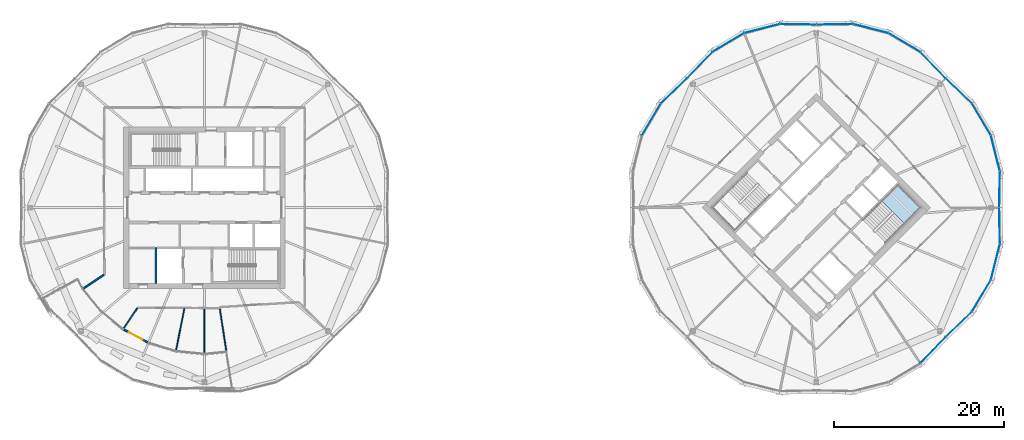
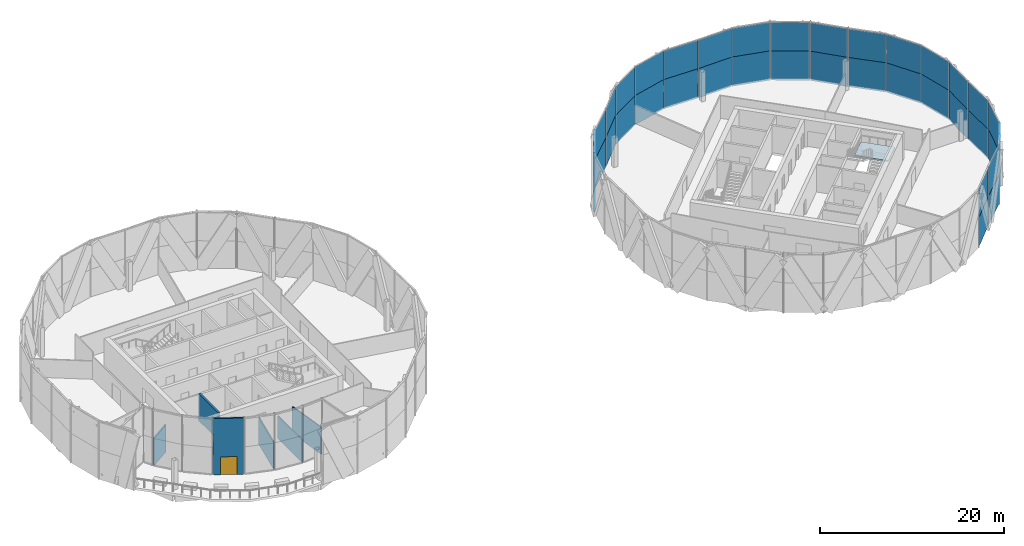
# One storey, part 18 of 27: 38 plates, 7 walls, 1 door, 1 slab, 1 opening, 7 elements without a shape of their own.
"""IFC4 building model written with IfcOpenShell, lengths in metres."""

from ifc_helpers import new_model, si_unit, direction, frame, frame_2d, origin, origin_2d, place, context, subcontext, project, spatial, polyline, rectangle, outline, extrude, material, layer, layer_set, type_object, element, fill, aggregate, save


model = new_model("IFC4")

# Units and contexts
model_context = context("Model", 3, precision=1e-05, world=origin(), true_north=direction((0.0, 1.0)))
body_context = subcontext(model_context, "Body", "Model", "MODEL_VIEW")
ifc_project = project(units=[si_unit("LENGTHUNIT", "METRE"), si_unit("AREAUNIT", "SQUARE_METRE"), si_unit("VOLUMEUNIT", "CUBIC_METRE"), si_unit("PLANEANGLEUNIT", "RADIAN"), si_unit("MASSUNIT", "GRAM", prefix="KILO")], contexts=[model_context])

# Site, building, storey
site_placement = place(None, origin())
site = spatial("IfcSite", under=ifc_project, at=site_placement, CompositionType="ELEMENT")
building_placement = place(site_placement, origin())
building = spatial("IfcBuilding", under=site, at=building_placement, Name="Ogive Gate Towers", CompositionType="ELEMENT")
storey_placement = place(building_placement, frame((0.0, 0.0, 189.0)))
storey = spatial("IfcBuildingStorey", under=building, at=storey_placement, Name="L45", CompositionType="ELEMENT", Elevation=189.0)

# Stair, slab
ifc_material_1 = material(Name="Concrete C40/50", Category="concrete")
stair_type = type_object("IfcStairType", Name="Escape stair 1840 wide", PredefinedType="HALF_TURN_STAIR", material=ifc_material_1)
stair_placement = place(storey_placement, origin())
stair = element("IfcStair", 1, at=stair_placement, inside=storey, type_object=stair_type, Name="L45 Escape stair 2", PredefinedType="HALF_TURN_STAIR")
ifc_layer_1 = layer(ifc_material_1, 0.199951171875)
ifc_layer_set_1 = layer_set([ifc_layer_1], Name="Stair landing 200 mm")
slab_type = type_object("IfcSlabType", Name="Stair landing 200 mm", PredefinedType="LANDING", material=ifc_layer_set_1)
slab_placement = place(storey_placement, frame((0.0, 0.0, 1.75)))
slab = element("IfcSlab", 2, at=slab_placement, type_object=slab_type, Name="ST2 landing 1", PredefinedType="LANDING", context=body_context, shape_type="SweptSolid", body=[
    extrude(outline(polyline([(46.3955078125, -1.908203125), (48.3037109375, 0.0), (45.598876953125, 2.70458984375), (43.690673828125, 0.79638671875), (46.3955078125, -1.908203125)])), origin(), (0.0, 0.0, 1.0), 0.199951171875),
])
aggregate(stair, [slab])

# Curtain wall, plates
ifc_material_2 = material(Name="Pale metal aluminium", Category="aluminium")
curtain_wall_type = type_object("IfcCurtainWallType", Name="Tower unitised wall, high zone", PredefinedType="NOTDEFINED", material=ifc_material_2)
curtain_wall_1_placement = place(storey_placement, origin())
curtain_wall_1 = element("IfcCurtainWall", 3, at=curtain_wall_1_placement, inside=storey, type_object=curtain_wall_type, Name="CW2 T2 ECW01", PredefinedType="NOTDEFINED")
ifc_material_3 = material(Name="Clear glass", Category="glass")
ifc_layer_2 = layer(ifc_material_3, 0.028076171875)
ifc_layer_set_2 = layer_set([ifc_layer_2], Name="Tower unitised wall, high zone glass panel")
plate_type = type_object("IfcPlateType", Name="Tower unitised wall, high zone glass panel", PredefinedType="CURTAIN_PANEL", material=ifc_layer_set_2)
plate_1_placement = place(storey_placement, frame((57.5595703125, 2.14208984375, -0.300048828125), z_axis=(0.0, 0.0, 1.0), x_axis=(0.018412183135, 0.999830481388, 0.0)))
plate_1 = element("IfcPlate", 4, at=plate_1_placement, type_object=plate_type, Name="CW2 glass panel", PredefinedType="CURTAIN_PANEL", context=body_context, shape_type="SweptSolid", body=[
    extrude(rectangle(XDim=4.230712890625, YDim=0.028076171875, at=origin_2d()), origin(), (0.0, 0.0, 1.0), 3.89990234375),
])
plate_2_placement = place(storey_placement, frame((57.5595703125, 2.14208984375, 3.60009765625), z_axis=(0.0, 0.0, 1.0), x_axis=(0.018412183135, 0.999830481388, 0.0)))
plate_2 = element("IfcPlate", 5, at=plate_2_placement, type_object=plate_type, Name="CW2 glass panel", PredefinedType="CURTAIN_PANEL", context=body_context, shape_type="SweptSolid", body=[
    extrude(rectangle(XDim=4.230712890625, YDim=0.028076171875, at=origin_2d()), origin(), (0.0, 0.0, 1.0), 3.803955078125),
])
plate_3_placement = place(storey_placement, frame((57.064208984375, 6.395751953125, -0.300048828125), z_axis=(0.0, 0.0, 1.0), x_axis=(-0.245882623105, 0.969299610881, 0.0)))
plate_3 = element("IfcPlate", 6, at=plate_3_placement, type_object=plate_type, Name="CW2 glass panel", PredefinedType="CURTAIN_PANEL", context=body_context, shape_type="SweptSolid", body=[
    extrude(rectangle(XDim=4.287109375, YDim=0.028076171875, at=origin_2d()), origin(), (0.0, 0.0, 1.0), 3.89990234375),
])
plate_4_placement = place(storey_placement, frame((57.064208984375, 6.395751953125, 3.60009765625), z_axis=(0.0, 0.0, 1.0), x_axis=(-0.245882623105, 0.969299610881, 0.0)))
plate_4 = element("IfcPlate", 7, at=plate_4_placement, type_object=plate_type, Name="CW2 glass panel", PredefinedType="CURTAIN_PANEL", context=body_context, shape_type="SweptSolid", body=[
    extrude(rectangle(XDim=4.287109375, YDim=0.028076171875, at=origin_2d()), origin(), (0.0, 0.0, 1.0), 3.803955078125),
])
plate_5_placement = place(storey_placement, frame((55.417236328125, 10.372314453125, -0.300048828125), z_axis=(0.0, 0.0, 1.0), x_axis=(-0.511518060625, 0.859272525835, 0.0)))
plate_5 = element("IfcPlate", 8, at=plate_5_placement, type_object=plate_type, Name="CW2 glass panel", PredefinedType="CURTAIN_PANEL", context=body_context, shape_type="SweptSolid", body=[
    extrude(rectangle(XDim=4.287353515625, YDim=0.028076171875, at=origin_2d()), origin(), (0.0, 0.0, 1.0), 3.89990234375),
])
plate_6_placement = place(storey_placement, frame((55.417236328125, 10.372314453125, 3.60009765625), z_axis=(0.0, 0.0, 1.0), x_axis=(-0.511518060625, 0.859272525835, 0.0)))
plate_6 = element("IfcPlate", 9, at=plate_6_placement, type_object=plate_type, Name="CW2 glass panel", PredefinedType="CURTAIN_PANEL", context=body_context, shape_type="SweptSolid", body=[
    extrude(rectangle(XDim=4.287353515625, YDim=0.028076171875, at=origin_2d()), origin(), (0.0, 0.0, 1.0), 3.803955078125),
])
plate_7_placement = place(storey_placement, frame((52.759521484375, 13.730224609375, -0.300048828125), z_axis=(0.0, 0.0, 1.0), x_axis=(-0.720030516576, 0.693942400491, 0.0)))
plate_7 = element("IfcPlate", 10, at=plate_7_placement, type_object=plate_type, Name="CW2 glass panel", PredefinedType="CURTAIN_PANEL", context=body_context, shape_type="SweptSolid", body=[
    extrude(rectangle(XDim=4.230712890625, YDim=0.028076171875, at=origin_2d()), origin(), (0.0, 0.0, 1.0), 3.89990234375),
])
plate_8_placement = place(storey_placement, frame((52.759521484375, 13.730224609375, 3.60009765625), z_axis=(0.0, 0.0, 1.0), x_axis=(-0.720030516576, 0.693942400491, 0.0)))
plate_8 = element("IfcPlate", 11, at=plate_8_placement, type_object=plate_type, Name="CW2 glass panel", PredefinedType="CURTAIN_PANEL", context=body_context, shape_type="SweptSolid", body=[
    extrude(rectangle(XDim=4.230712890625, YDim=0.028076171875, at=origin_2d()), origin(), (0.0, 0.0, 1.0), 3.803955078125),
])
aggregate(curtain_wall_1, [plate_1, plate_2, plate_3, plate_4, plate_5, plate_6, plate_7, plate_8])

curtain_wall_2_placement = place(storey_placement, origin())
curtain_wall_2 = element("IfcCurtainWall", 12, at=curtain_wall_2_placement, inside=storey, type_object=curtain_wall_type, Name="CW2 T2 ECW02", PredefinedType="NOTDEFINED")
plate_9_placement = place(storey_placement, frame((49.730224609375, 16.759521484375, -0.300048828125), z_axis=(0.0, 0.0, 1.0), x_axis=(-0.693942400491, 0.720030516576, 0.0)))
plate_9 = element("IfcPlate", 13, at=plate_9_placement, type_object=plate_type, Name="CW2 glass panel", PredefinedType="CURTAIN_PANEL", context=body_context, shape_type="SweptSolid", body=[
    extrude(rectangle(XDim=4.230712890625, YDim=0.028076171875, at=origin_2d()), origin(), (0.0, 0.0, 1.0), 3.89990234375),
])
plate_10_placement = place(storey_placement, frame((49.730224609375, 16.759521484375, 3.60009765625), z_axis=(0.0, 0.0, 1.0), x_axis=(-0.693942400491, 0.720030516576, 0.0)))
plate_10 = element("IfcPlate", 14, at=plate_10_placement, type_object=plate_type, Name="CW2 glass panel", PredefinedType="CURTAIN_PANEL", context=body_context, shape_type="SweptSolid", body=[
    extrude(rectangle(XDim=4.230712890625, YDim=0.028076171875, at=origin_2d()), origin(), (0.0, 0.0, 1.0), 3.803955078125),
])
plate_11_placement = place(storey_placement, frame((46.372314453125, 19.417236328125, -0.300048828125), z_axis=(0.0, 0.0, 1.0), x_axis=(-0.859272525835, 0.511518060625, 0.0)))
plate_11 = element("IfcPlate", 15, at=plate_11_placement, type_object=plate_type, Name="CW2 glass panel", PredefinedType="CURTAIN_PANEL", context=body_context, shape_type="SweptSolid", body=[
    extrude(rectangle(XDim=4.287353515625, YDim=0.028076171875, at=origin_2d()), origin(), (0.0, 0.0, 1.0), 3.89990234375),
])
plate_12_placement = place(storey_placement, frame((46.372314453125, 19.417236328125, 3.60009765625), z_axis=(0.0, 0.0, 1.0), x_axis=(-0.859272525835, 0.511518060625, 0.0)))
plate_12 = element("IfcPlate", 16, at=plate_12_placement, type_object=plate_type, Name="CW2 glass panel", PredefinedType="CURTAIN_PANEL", context=body_context, shape_type="SweptSolid", body=[
    extrude(rectangle(XDim=4.287353515625, YDim=0.028076171875, at=origin_2d()), origin(), (0.0, 0.0, 1.0), 3.803955078125),
])
plate_13_placement = place(storey_placement, frame((42.395751953125, 21.064208984375, -0.300048828125), z_axis=(0.0, 0.0, 1.0), x_axis=(-0.969299610881, 0.245882623105, 0.0)))
plate_13 = element("IfcPlate", 17, at=plate_13_placement, type_object=plate_type, Name="CW2 glass panel", PredefinedType="CURTAIN_PANEL", context=body_context, shape_type="SweptSolid", body=[
    extrude(rectangle(XDim=4.287109375, YDim=0.028076171875, at=origin_2d()), origin(), (0.0, 0.0, 1.0), 3.89990234375),
])
plate_14_placement = place(storey_placement, frame((42.395751953125, 21.064208984375, 3.60009765625), z_axis=(0.0, 0.0, 1.0), x_axis=(-0.969299610881, 0.245882623105, 0.0)))
plate_14 = element("IfcPlate", 18, at=plate_14_placement, type_object=plate_type, Name="CW2 glass panel", PredefinedType="CURTAIN_PANEL", context=body_context, shape_type="SweptSolid", body=[
    extrude(rectangle(XDim=4.287109375, YDim=0.028076171875, at=origin_2d()), origin(), (0.0, 0.0, 1.0), 3.803955078125),
])
plate_15_placement = place(storey_placement, frame((38.14208984375, 21.5595703125, -0.300048828125), z_axis=(0.0, 0.0, 1.0), x_axis=(-0.999830481388, -0.018412183135, 0.0)))
plate_15 = element("IfcPlate", 19, at=plate_15_placement, type_object=plate_type, Name="CW2 glass panel", PredefinedType="CURTAIN_PANEL", context=body_context, shape_type="SweptSolid", body=[
    extrude(rectangle(XDim=4.230712890625, YDim=0.028076171875, at=origin_2d()), origin(), (0.0, 0.0, 1.0), 3.89990234375),
])
plate_16_placement = place(storey_placement, frame((38.14208984375, 21.5595703125, 3.60009765625), z_axis=(0.0, 0.0, 1.0), x_axis=(-0.999830481388, -0.018412183135, 0.0)))
plate_16 = element("IfcPlate", 20, at=plate_16_placement, type_object=plate_type, Name="CW2 glass panel", PredefinedType="CURTAIN_PANEL", context=body_context, shape_type="SweptSolid", body=[
    extrude(rectangle(XDim=4.230712890625, YDim=0.028076171875, at=origin_2d()), origin(), (0.0, 0.0, 1.0), 3.803955078125),
])
aggregate(curtain_wall_2, [plate_9, plate_10, plate_11, plate_12, plate_13, plate_14, plate_15, plate_16])

curtain_wall_3_placement = place(storey_placement, origin())
curtain_wall_3 = element("IfcCurtainWall", 21, at=curtain_wall_3_placement, inside=storey, type_object=curtain_wall_type, Name="CW2 T2 ECW03", PredefinedType="NOTDEFINED")
plate_17_placement = place(storey_placement, frame((33.85791015625, 21.5595703125, -0.300048828125), z_axis=(0.0, 0.0, 1.0), x_axis=(-0.999830481388, 0.018412183135, 0.0)))
plate_17 = element("IfcPlate", 22, at=plate_17_placement, type_object=plate_type, Name="CW2 glass panel", PredefinedType="CURTAIN_PANEL", context=body_context, shape_type="SweptSolid", body=[
    extrude(rectangle(XDim=4.230712890625, YDim=0.028076171875, at=origin_2d()), origin(), (0.0, 0.0, 1.0), 3.89990234375),
])
plate_18_placement = place(storey_placement, frame((33.85791015625, 21.5595703125, 3.60009765625), z_axis=(0.0, 0.0, 1.0), x_axis=(-0.999830481388, 0.018412183135, 0.0)))
plate_18 = element("IfcPlate", 23, at=plate_18_placement, type_object=plate_type, Name="CW2 glass panel", PredefinedType="CURTAIN_PANEL", context=body_context, shape_type="SweptSolid", body=[
    extrude(rectangle(XDim=4.230712890625, YDim=0.028076171875, at=origin_2d()), origin(), (0.0, 0.0, 1.0), 3.803955078125),
])
plate_19_placement = place(storey_placement, frame((29.604248046875, 21.064208984375, -0.300048828125), z_axis=(0.0, 0.0, 1.0), x_axis=(-0.969299610881, -0.245882623105, 0.0)))
plate_19 = element("IfcPlate", 24, at=plate_19_placement, type_object=plate_type, Name="CW2 glass panel", PredefinedType="CURTAIN_PANEL", context=body_context, shape_type="SweptSolid", body=[
    extrude(rectangle(XDim=4.287109375, YDim=0.028076171875, at=origin_2d()), origin(), (0.0, 0.0, 1.0), 3.89990234375),
])
plate_20_placement = place(storey_placement, frame((29.604248046875, 21.064208984375, 3.60009765625), z_axis=(0.0, 0.0, 1.0), x_axis=(-0.969299610881, -0.245882623105, 0.0)))
plate_20 = element("IfcPlate", 25, at=plate_20_placement, type_object=plate_type, Name="CW2 glass panel", PredefinedType="CURTAIN_PANEL", context=body_context, shape_type="SweptSolid", body=[
    extrude(rectangle(XDim=4.287109375, YDim=0.028076171875, at=origin_2d()), origin(), (0.0, 0.0, 1.0), 3.803955078125),
])
plate_21_placement = place(storey_placement, frame((25.627685546875, 19.417236328125, -0.300048828125), z_axis=(0.0, 0.0, 1.0), x_axis=(-0.859272525835, -0.511518060625, 0.0)))
plate_21 = element("IfcPlate", 26, at=plate_21_placement, type_object=plate_type, Name="CW2 glass panel", PredefinedType="CURTAIN_PANEL", context=body_context, shape_type="SweptSolid", body=[
    extrude(rectangle(XDim=4.287353515625, YDim=0.028076171875, at=origin_2d()), origin(), (0.0, 0.0, 1.0), 3.89990234375),
])
plate_22_placement = place(storey_placement, frame((25.627685546875, 19.417236328125, 3.60009765625), z_axis=(0.0, 0.0, 1.0), x_axis=(-0.859272525835, -0.511518060625, 0.0)))
plate_22 = element("IfcPlate", 27, at=plate_22_placement, type_object=plate_type, Name="CW2 glass panel", PredefinedType="CURTAIN_PANEL", context=body_context, shape_type="SweptSolid", body=[
    extrude(rectangle(XDim=4.287353515625, YDim=0.028076171875, at=origin_2d()), origin(), (0.0, 0.0, 1.0), 3.803955078125),
])
plate_23_placement = place(storey_placement, frame((22.269775390625, 16.759521484375, -0.300048828125), z_axis=(0.0, 0.0, 1.0), x_axis=(-0.693942400491, -0.720030516576, 0.0)))
plate_23 = element("IfcPlate", 28, at=plate_23_placement, type_object=plate_type, Name="CW2 glass panel", PredefinedType="CURTAIN_PANEL", context=body_context, shape_type="SweptSolid", body=[
    extrude(rectangle(XDim=4.230712890625, YDim=0.028076171875, at=origin_2d()), origin(), (0.0, 0.0, 1.0), 3.89990234375),
])
plate_24_placement = place(storey_placement, frame((22.269775390625, 16.759521484375, 3.60009765625), z_axis=(0.0, 0.0, 1.0), x_axis=(-0.693942400491, -0.720030516576, 0.0)))
plate_24 = element("IfcPlate", 29, at=plate_24_placement, type_object=plate_type, Name="CW2 glass panel", PredefinedType="CURTAIN_PANEL", context=body_context, shape_type="SweptSolid", body=[
    extrude(rectangle(XDim=4.230712890625, YDim=0.028076171875, at=origin_2d()), origin(), (0.0, 0.0, 1.0), 3.803955078125),
])
aggregate(curtain_wall_3, [plate_17, plate_18, plate_19, plate_20, plate_21, plate_22, plate_23, plate_24])

curtain_wall_4_placement = place(storey_placement, origin())
curtain_wall_4 = element("IfcCurtainWall", 30, at=curtain_wall_4_placement, inside=storey, type_object=curtain_wall_type, Name="CW2 T2 ECW04", PredefinedType="NOTDEFINED")
plate_25_placement = place(storey_placement, frame((19.240478515625, 13.730224609375, -0.300048828125), z_axis=(0.0, 0.0, 1.0), x_axis=(-0.720030516576, -0.693942400491, 0.0)))
plate_25 = element("IfcPlate", 31, at=plate_25_placement, type_object=plate_type, Name="CW2 glass panel", PredefinedType="CURTAIN_PANEL", context=body_context, shape_type="SweptSolid", body=[
    extrude(rectangle(XDim=4.230712890625, YDim=0.028076171875, at=origin_2d()), origin(), (0.0, 0.0, 1.0), 3.89990234375),
])
plate_26_placement = place(storey_placement, frame((19.240478515625, 13.730224609375, 3.60009765625), z_axis=(0.0, 0.0, 1.0), x_axis=(-0.720030516576, -0.693942400491, 0.0)))
plate_26 = element("IfcPlate", 32, at=plate_26_placement, type_object=plate_type, Name="CW2 glass panel", PredefinedType="CURTAIN_PANEL", context=body_context, shape_type="SweptSolid", body=[
    extrude(rectangle(XDim=4.230712890625, YDim=0.028076171875, at=origin_2d()), origin(), (0.0, 0.0, 1.0), 3.803955078125),
])
plate_27_placement = place(storey_placement, frame((16.582763671875, 10.372314453125, -0.300048828125), z_axis=(0.0, 0.0, 1.0), x_axis=(-0.511518060625, -0.859272525835, 0.0)))
plate_27 = element("IfcPlate", 33, at=plate_27_placement, type_object=plate_type, Name="CW2 glass panel", PredefinedType="CURTAIN_PANEL", context=body_context, shape_type="SweptSolid", body=[
    extrude(rectangle(XDim=4.287353515625, YDim=0.028076171875, at=origin_2d()), origin(), (0.0, 0.0, 1.0), 3.89990234375),
])
plate_28_placement = place(storey_placement, frame((16.582763671875, 10.372314453125, 3.60009765625), z_axis=(0.0, 0.0, 1.0), x_axis=(-0.511518060625, -0.859272525835, 0.0)))
plate_28 = element("IfcPlate", 34, at=plate_28_placement, type_object=plate_type, Name="CW2 glass panel", PredefinedType="CURTAIN_PANEL", context=body_context, shape_type="SweptSolid", body=[
    extrude(rectangle(XDim=4.287353515625, YDim=0.028076171875, at=origin_2d()), origin(), (0.0, 0.0, 1.0), 3.803955078125),
])
aggregate(curtain_wall_4, [plate_25, plate_26, plate_27, plate_28])

curtain_wall_5_placement = place(storey_placement, origin())
curtain_wall_5 = element("IfcCurtainWall", 35, at=curtain_wall_5_placement, inside=storey, type_object=curtain_wall_type, Name="CW2 T2 ECW07", PredefinedType="NOTDEFINED")
plate_29_placement = place(storey_placement, frame((49.730224609375, -16.759521484375, -0.300048828125), z_axis=(0.0, 0.0, 1.0), x_axis=(0.693942400491, 0.720030516576, 0.0)))
plate_29 = element("IfcPlate", 36, at=plate_29_placement, type_object=plate_type, Name="CW2 glass panel", PredefinedType="CURTAIN_PANEL", context=body_context, shape_type="SweptSolid", body=[
    extrude(rectangle(XDim=4.230712890625, YDim=0.028076171875, at=origin_2d()), origin(), (0.0, 0.0, 1.0), 3.89990234375),
])
plate_30_placement = place(storey_placement, frame((49.730224609375, -16.759521484375, 3.60009765625), z_axis=(0.0, 0.0, 1.0), x_axis=(0.693942400491, 0.720030516576, 0.0)))
plate_30 = element("IfcPlate", 37, at=plate_30_placement, type_object=plate_type, Name="CW2 glass panel", PredefinedType="CURTAIN_PANEL", context=body_context, shape_type="SweptSolid", body=[
    extrude(rectangle(XDim=4.230712890625, YDim=0.028076171875, at=origin_2d()), origin(), (0.0, 0.0, 1.0), 3.803955078125),
])
aggregate(curtain_wall_5, [plate_29, plate_30])

curtain_wall_6_placement = place(storey_placement, origin())
curtain_wall_6 = element("IfcCurtainWall", 38, at=curtain_wall_6_placement, inside=storey, type_object=curtain_wall_type, Name="CW2 T2 ECW08", PredefinedType="NOTDEFINED")
plate_31_placement = place(storey_placement, frame((52.759521484375, -13.730224609375, -0.300048828125), z_axis=(0.0, 0.0, 1.0), x_axis=(0.720030516576, 0.693942400491, 0.0)))
plate_31 = element("IfcPlate", 39, at=plate_31_placement, type_object=plate_type, Name="CW2 glass panel", PredefinedType="CURTAIN_PANEL", context=body_context, shape_type="SweptSolid", body=[
    extrude(rectangle(XDim=4.230712890625, YDim=0.028076171875, at=origin_2d()), origin(), (0.0, 0.0, 1.0), 3.89990234375),
])
plate_32_placement = place(storey_placement, frame((52.759521484375, -13.730224609375, 3.60009765625), z_axis=(0.0, 0.0, 1.0), x_axis=(0.720030516576, 0.693942400491, 0.0)))
plate_32 = element("IfcPlate", 40, at=plate_32_placement, type_object=plate_type, Name="CW2 glass panel", PredefinedType="CURTAIN_PANEL", context=body_context, shape_type="SweptSolid", body=[
    extrude(rectangle(XDim=4.230712890625, YDim=0.028076171875, at=origin_2d()), origin(), (0.0, 0.0, 1.0), 3.803955078125),
])
plate_33_placement = place(storey_placement, frame((55.417236328125, -10.372314453125, -0.300048828125), z_axis=(0.0, 0.0, 1.0), x_axis=(0.511518060625, 0.859272525835, 0.0)))
plate_33 = element("IfcPlate", 41, at=plate_33_placement, type_object=plate_type, Name="CW2 glass panel", PredefinedType="CURTAIN_PANEL", context=body_context, shape_type="SweptSolid", body=[
    extrude(rectangle(XDim=4.287353515625, YDim=0.028076171875, at=origin_2d()), origin(), (0.0, 0.0, 1.0), 3.89990234375),
])
plate_34_placement = place(storey_placement, frame((55.417236328125, -10.372314453125, 3.60009765625), z_axis=(0.0, 0.0, 1.0), x_axis=(0.511518060625, 0.859272525835, 0.0)))
plate_34 = element("IfcPlate", 42, at=plate_34_placement, type_object=plate_type, Name="CW2 glass panel", PredefinedType="CURTAIN_PANEL", context=body_context, shape_type="SweptSolid", body=[
    extrude(rectangle(XDim=4.287353515625, YDim=0.028076171875, at=origin_2d()), origin(), (0.0, 0.0, 1.0), 3.803955078125),
])
plate_35_placement = place(storey_placement, frame((57.064208984375, -6.395751953125, -0.300048828125), z_axis=(0.0, 0.0, 1.0), x_axis=(0.245882623105, 0.969299610881, 0.0)))
plate_35 = element("IfcPlate", 43, at=plate_35_placement, type_object=plate_type, Name="CW2 glass panel", PredefinedType="CURTAIN_PANEL", context=body_context, shape_type="SweptSolid", body=[
    extrude(rectangle(XDim=4.287109375, YDim=0.028076171875, at=origin_2d()), origin(), (0.0, 0.0, 1.0), 3.89990234375),
])
plate_36_placement = place(storey_placement, frame((57.064208984375, -6.395751953125, 3.60009765625), z_axis=(0.0, 0.0, 1.0), x_axis=(0.245882623105, 0.969299610881, 0.0)))
plate_36 = element("IfcPlate", 44, at=plate_36_placement, type_object=plate_type, Name="CW2 glass panel", PredefinedType="CURTAIN_PANEL", context=body_context, shape_type="SweptSolid", body=[
    extrude(rectangle(XDim=4.287109375, YDim=0.028076171875, at=origin_2d()), origin(), (0.0, 0.0, 1.0), 3.803955078125),
])
plate_37_placement = place(storey_placement, frame((57.5595703125, -2.14208984375, -0.300048828125), z_axis=(0.0, 0.0, 1.0), x_axis=(-0.018412183135, 0.999830481388, 0.0)))
plate_37 = element("IfcPlate", 45, at=plate_37_placement, type_object=plate_type, Name="CW2 glass panel", PredefinedType="CURTAIN_PANEL", context=body_context, shape_type="SweptSolid", body=[
    extrude(rectangle(XDim=4.230712890625, YDim=0.028076171875, at=origin_2d()), origin(), (0.0, 0.0, 1.0), 3.89990234375),
])
plate_38_placement = place(storey_placement, frame((57.5595703125, -2.14208984375, 3.60009765625), z_axis=(0.0, 0.0, 1.0), x_axis=(-0.018412183135, 0.999830481388, 0.0)))
plate_38 = element("IfcPlate", 46, at=plate_38_placement, type_object=plate_type, Name="CW2 glass panel", PredefinedType="CURTAIN_PANEL", context=body_context, shape_type="SweptSolid", body=[
    extrude(rectangle(XDim=4.230712890625, YDim=0.028076171875, at=origin_2d()), origin(), (0.0, 0.0, 1.0), 3.803955078125),
])
aggregate(curtain_wall_6, [plate_31, plate_32, plate_33, plate_34, plate_35, plate_36, plate_37, plate_38])

# Wall
ifc_material_4 = material(Name="Gypsum board acoustic partition")
ifc_layer_3 = layer(ifc_material_4, 0.175048828125)
ifc_layer_set_3 = layer_set([ifc_layer_3], Name="Acoustic partition 175")
wall_type_1 = type_object("IfcWallType", Name="Acoustic partition 175", PredefinedType="PARTITIONING", material=ifc_layer_set_3)
wall_1_placement = place(storey_placement, frame((-50.318359375, -9.567138671875, 0.0), z_axis=(0.0, 0.0, 1.0), x_axis=(0.830843898968, 0.556505539549, 0.0)))
element("IfcWall", 47, at=wall_1_placement, inside=storey, type_object=wall_type_1, Name="Partition T1-L45-005", PredefinedType="PARTITIONING", context=body_context, shape_type="SweptSolid", body=[
    extrude(rectangle(XDim=2.962646484375, YDim=0.175048828125, at=frame_2d((1.4814453125, 0.0))), origin(), (0.0, 0.0, 1.0), 3.60009765625),
])

# Wall, opening, door
ifc_layer_4 = layer(ifc_material_2, 0.199951171875)
ifc_layer_set_4 = layer_set([ifc_layer_4], Name="Garden infill wall")
wall_type_2 = type_object("IfcWallType", Name="Garden infill wall", PredefinedType="SOLIDWALL", material=ifc_layer_set_4)
wall_2_placement = place(storey_placement, frame((-42.612060546875, -15.89794921875, 0.0), z_axis=(0.0, 0.0, 1.0), x_axis=(-0.88190956928, 0.471418616107, 0.0)))
wall_2 = element("IfcWall", 48, at=wall_2_placement, inside=storey, type_object=wall_type_2, Name="Garden infill wall", PredefinedType="SOLIDWALL", context=body_context, shape_type="SweptSolid", body=[
    extrude(rectangle(XDim=3.325927734375, YDim=0.199951171875, at=frame_2d((1.6630859375, 0.0))), origin(), (0.0, 0.0, 1.0), 7.5),
])
opening_placement = place(wall_2_placement, frame((0.762939453125, 0.0, 0.0)))
opening = element("IfcOpeningElement", 49, at=opening_placement, cuts=wall_2, Name="Opening ED1-L45-01", PredefinedType="OPENING", context=body_context, shape_type="SweptSolid", body=[
    extrude(rectangle(XDim=1.800048828125, YDim=2.39990234375, at=frame_2d((0.89990234375, 1.199951171875))), frame((0.0, 0.10986328125, 0.0), z_axis=(0.0, -1.0, 0.0), x_axis=(1.0, 0.0, 0.0)), (0.0, 0.0, 1.0), 0.219970703125),
])
door_type = type_object("IfcDoorType", Name="Garden door 1800 x 2400", OperationType="DOUBLE_DOOR_SINGLE_SWING", PredefinedType="DOOR", material=ifc_material_2)
door_placement = place(opening_placement, origin())
door = element("IfcDoor", 50, at=door_placement, inside=storey, type_object=door_type, Name="Garden door", OperationType="SINGLE_SWING_LEFT", OverallHeight=2.39990234375, OverallWidth=1.800048828125, PredefinedType="DOOR", context=body_context, shape_type="SweptSolid", body=[
    extrude(rectangle(XDim=1.800048828125, YDim=2.39990234375, at=frame_2d((0.89990234375, 1.199951171875))), frame((0.0, 0.02490234375, 0.0), z_axis=(0.0, -1.0, 0.0), x_axis=(1.0, 0.0, 0.0)), (0.0, 0.0, 1.0), 0.050048828125),
])
fill(opening, door)

# Walls
ifc_material_5 = material(Name="Gypsum board partition")
ifc_layer_5 = layer(ifc_material_5, 0.125)
ifc_layer_set_5 = layer_set([ifc_layer_5], Name="Partition 125")
wall_type_3 = type_object("IfcWallType", Name="Partition 125", PredefinedType="PARTITIONING", material=ifc_layer_set_5)
wall_3_placement = place(storey_placement, frame((-45.510986328125, -14.234375, 0.0), z_axis=(0.0, 0.0, 1.0), x_axis=(0.555519699816, 0.831503375288, 0.0)))
element("IfcWall", 51, at=wall_3_placement, inside=storey, type_object=wall_type_3, Name="Partition T1-L45-006", PredefinedType="PARTITIONING", context=body_context, shape_type="SweptSolid", body=[
    extrude(rectangle(XDim=2.886474609375, YDim=0.125, at=frame_2d((1.443359375, 0.0))), origin(), (0.0, 0.0, 1.0), 3.60009765625),
])
wall_4_placement = place(storey_placement, frame((-39.33984375, -16.79052734375, 0.0), z_axis=(0.0, 0.0, 1.0), x_axis=(0.19510925682, 0.980781513847, 0.0)))
element("IfcWall", 52, at=wall_4_placement, inside=storey, type_object=wall_type_3, Name="Partition T1-L45-007", PredefinedType="PARTITIONING", context=body_context, shape_type="SweptSolid", body=[
    extrude(rectangle(XDim=5.036376953125, YDim=0.125, at=frame_2d((2.51806640625, 0.0))), origin(), (0.0, 0.0, 1.0), 3.60009765625),
])
wall_5_placement = place(storey_placement, frame((-36.0, -17.220458984375, 0.0), z_axis=(0.0, 0.0, 1.0), x_axis=(-0.000182949137, 0.999999983265, 0.0)))
element("IfcWall", 53, at=wall_5_placement, inside=storey, type_object=wall_type_3, Name="Partition T1-L45-008", PredefinedType="PARTITIONING", context=body_context, shape_type="SweptSolid", body=[
    extrude(rectangle(XDim=5.337890625, YDim=0.125, at=frame_2d((2.6689453125, 0.0))), origin(), (0.0, 0.0, 1.0), 3.0),
])
wall_6_placement = place(storey_placement, frame((-33.42919921875, -16.865966796875, 0.0), z_axis=(0.0, 0.0, 1.0), x_axis=(-0.150705654352, 0.988578679593, 0.0)))
element("IfcWall", 54, at=wall_6_placement, inside=storey, type_object=wall_type_3, Name="Partition T1-L45-009", PredefinedType="PARTITIONING", context=body_context, shape_type="SweptSolid", body=[
    extrude(rectangle(XDim=5.03662109375, YDim=0.125, at=frame_2d((2.518310546875, 0.0))), origin(), (0.0, 0.0, 1.0), 3.60009765625),
])
ifc_material_6 = material(Name="Concrete C60/75", Category="concrete")
ifc_layer_6 = layer(ifc_material_6, 0.25)
ifc_layer_set_6 = layer_set([ifc_layer_6], Name="Shaft wall 250 mm")
wall_type_4 = type_object("IfcWallType", Name="Shaft wall 250 mm", PredefinedType="SHEAR", material=ifc_layer_set_6)
wall_7_placement = place(storey_placement, frame((-41.699951171875, -8.89990234375, 0.0), z_axis=(0.0, 0.0, 1.0), x_axis=(0.0, 1.0, 0.0)))
element("IfcWall", 55, at=wall_7_placement, inside=storey, type_object=wall_type_4, Name="T1 L45 Shaft wall 250 mm", PredefinedType="SHEAR", context=body_context, shape_type="SweptSolid", body=[
    extrude(rectangle(XDim=4.224853515625, YDim=0.25, at=frame_2d((2.1123046875, 0.0))), origin(), (0.0, 0.0, 1.0), 3.60009765625),
])

save(model, "model.ifc")
